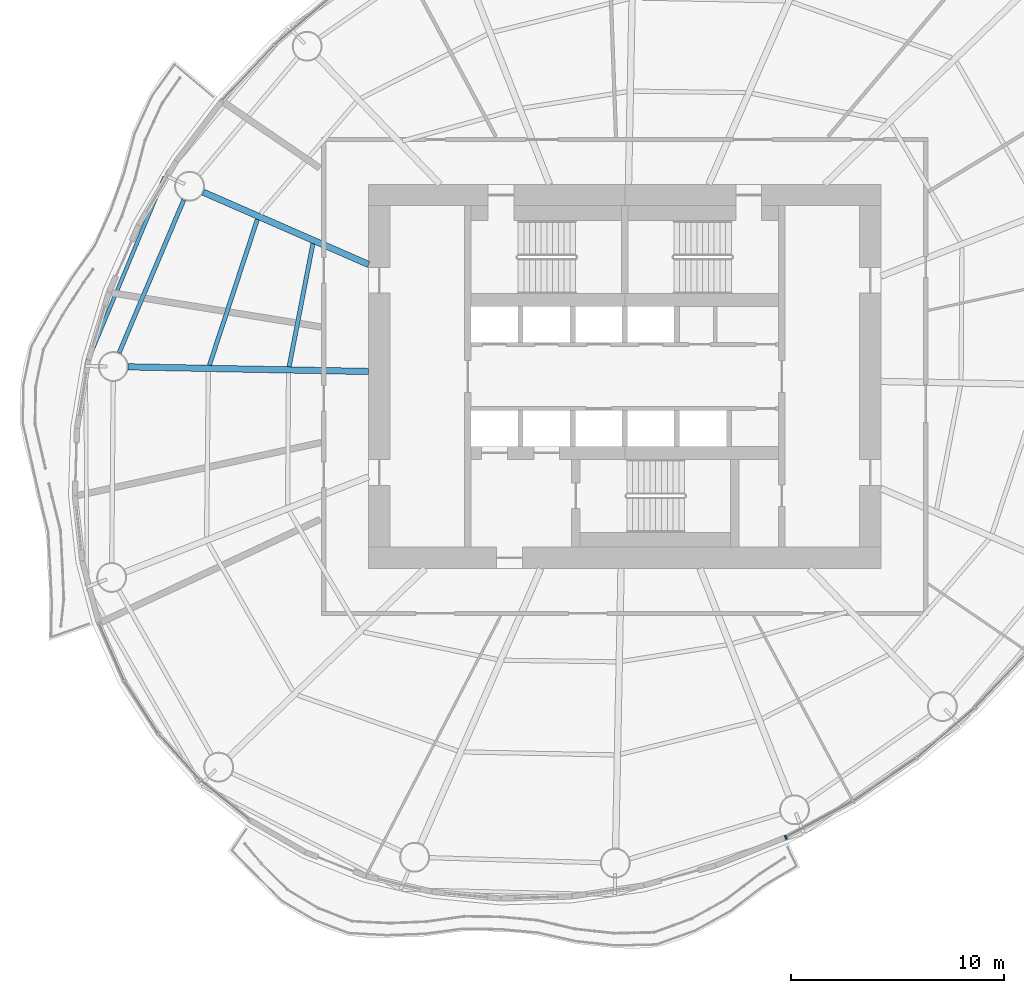
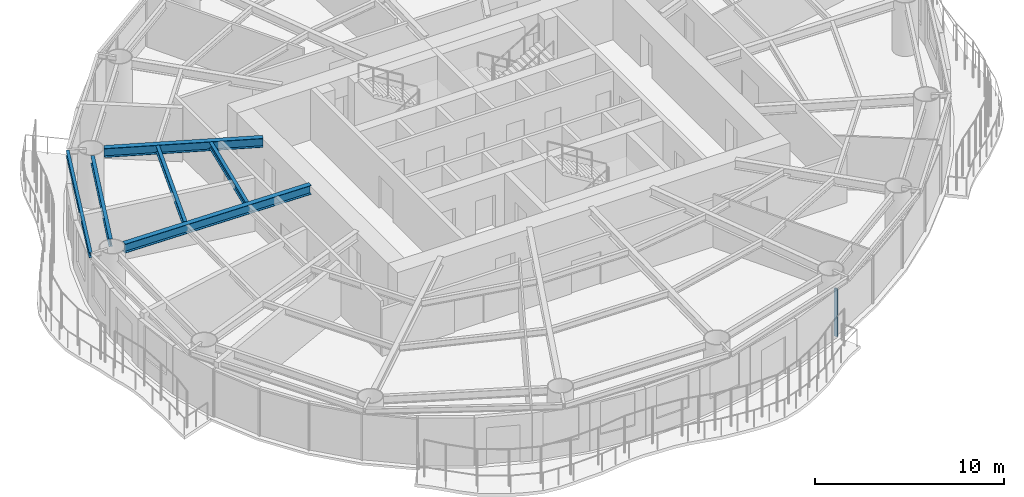
# One storey, part 3 of 15: 6 beams, 1 member, 1 element without a shape of its own.
"""IFC4 building model written with IfcOpenShell, lengths in metres."""

import ifcopenshell
import ifcopenshell.guid

model = None  # the IFC model being written
_history = None  # IfcOwnerHistory: only IFC2X3 demands one
_inside = {}  # id of a spatial element -> (the spatial element, [elements in it])
_under = {}  # id of a project, library or spatial element -> (it, [spatial elements below it])
_declared = {}  # id of a project -> (the project, [libraries it declares])
_typed = {}  # id of a type object -> (the type object, [elements of that type])
_made_of = {}  # id of a material, layer set ... -> (it, [elements and type objects made of it])


def new_model(schema):
    """Start an empty IFC model of exactly this schema.

    Asked for "IFC4X3", IfcOpenShell would pick the latest addendum, in which some entities
    have other attributes; the version numbers below select the first issue.
    IFC2X3 requires an IfcOwnerHistory on every rooted entity: one is made here for all.
    """
    global model, _history
    if schema == "IFC4X3":
        model = ifcopenshell.file(schema_version=(4, 3, 0, 0))
    else:
        model = ifcopenshell.file(schema=schema)
    _inside.clear()
    _under.clear()
    _declared.clear()
    _typed.clear()
    _made_of.clear()
    _history = None
    if model.schema == "IFC2X3":
        org = make("IfcOrganization", Name="unknown")
        user = make(
            "IfcPersonAndOrganization",
            ThePerson=make("IfcPerson", FamilyName="unknown"),
            TheOrganization=org,
        )
        app = make(
            "IfcApplication",
            ApplicationDeveloper=org,
            Version="unknown",
            ApplicationFullName="unknown",
            ApplicationIdentifier="unknown",
        )
        _history = make(
            "IfcOwnerHistory",
            OwningUser=user,
            OwningApplication=app,
            ChangeAction="ADDED",
            CreationDate=0,
        )
    return model


def make(cls, **values):
    """One entity of the class cls with the attributes given. An attribute that is None is left unset."""
    return model.create_entity(
        cls, **{name: value for name, value in values.items() if value is not None}
    )


def rooted(cls, **values):
    """An entity with a GlobalId (a new one), such as an element, a storey or a relation."""
    return make(cls, GlobalId=ifcopenshell.guid.new(), OwnerHistory=_history, **values)


def si_unit(unit_type, name, prefix=None):
    """IfcSIUnit, for example si_unit("LENGTHUNIT", "METRE", prefix="MILLI")."""
    return make("IfcSIUnit", UnitType=unit_type, Prefix=prefix, Name=name)


def assignment(units):
    """IfcUnitAssignment: the units of a project."""
    return None if units is None else make("IfcUnitAssignment", Units=units)


def point(xyz):
    """IfcCartesianPoint."""
    return None if xyz is None else make("IfcCartesianPoint", Coordinates=xyz)


def direction(xyz):
    """IfcDirection."""
    return None if xyz is None else make("IfcDirection", DirectionRatios=xyz)


def frame(location, z_axis=None, x_axis=None):
    """IfcAxis2Placement3D, a coordinate frame: its origin and axes. An axis left out is left unset."""
    return make(
        "IfcAxis2Placement3D",
        Location=point(location),
        Axis=direction(z_axis),
        RefDirection=direction(x_axis),
    )


def frame_2d(location, x_axis=None):
    """IfcAxis2Placement2D, a coordinate frame in the plane: its origin and x axis."""
    return make(
        "IfcAxis2Placement2D", Location=point(location), RefDirection=direction(x_axis)
    )


def origin():
    """The frame at (0, 0, 0) with its axes left unset."""
    return frame((0.0, 0.0, 0.0))


def origin_2d():
    """The frame at (0, 0) in the plane with its x axis left unset."""
    return frame_2d((0.0, 0.0))


def place(relative_to, where):
    """IfcLocalPlacement: puts the frame where relative to a parent placement (None: the world)."""
    return make(
        "IfcLocalPlacement", PlacementRelTo=relative_to, RelativePlacement=where
    )


def context(
    kind, dimensions, precision=None, world=None, true_north=None, identifier=None
):
    """IfcGeometricRepresentationContext, for example the 3D "Model" context."""
    return make(
        "IfcGeometricRepresentationContext",
        ContextIdentifier=identifier,
        ContextType=kind,
        CoordinateSpaceDimension=dimensions,
        Precision=precision,
        WorldCoordinateSystem=world,
        TrueNorth=true_north,
    )


def subcontext(parent, identifier, kind, view, scale=None):
    """IfcGeometricRepresentationSubContext, for example "Body" below "Model"."""
    return make(
        "IfcGeometricRepresentationSubContext",
        ContextIdentifier=identifier,
        ContextType=kind,
        ParentContext=parent,
        TargetScale=scale,
        TargetView=view,
    )


def project(units=None, contexts=None):
    """IfcProject with its units and contexts."""
    return rooted(
        "IfcProject",
        Name="project",
        RepresentationContexts=contexts,
        UnitsInContext=assignment(units),
    )


def spatial(cls, under=None, at=None, **own):
    """A site, building, storey or space (cls), placed at a placement, below another one or the project."""
    s = rooted(cls, ObjectPlacement=at, **own)
    if under is not None:
        _under.setdefault(under.id(), (under, []))[1].append(s)
    return s


def profile(cls, at=None, kind="AREA", **sizes):
    """A parametric profile (cls). Its sizes go by their IFC names, for example OverallWidth=200.0."""
    return make(cls, ProfileType=kind, Position=at, **sizes)


def rectangle(**sizes):
    """IfcRectangleProfileDef."""
    return profile("IfcRectangleProfileDef", **sizes)


def i_section(**sizes):
    """IfcIShapeProfileDef."""
    return profile("IfcIShapeProfileDef", **sizes)


def extrude(swept, where, along, depth):
    """IfcExtrudedAreaSolid: the profile swept, set in the frame where, extruded along a direction by depth."""
    return make(
        "IfcExtrudedAreaSolid",
        SweptArea=swept,
        Position=where,
        ExtrudedDirection=direction(along),
        Depth=depth,
    )


def shape(context_of_items, identifier, shape_type, items):
    """IfcShapeRepresentation: the items that make up one representation, for example the "Body"."""
    return make(
        "IfcShapeRepresentation",
        ContextOfItems=context_of_items,
        RepresentationIdentifier=identifier,
        RepresentationType=shape_type,
        Items=items,
    )


def material(Name=None, Category=None):
    """IfcMaterial."""
    return make("IfcMaterial", Name=Name, Category=Category)


def material_profile(
    of_material, cross_section, Name=None, Category=None, Priority=None
):
    """IfcMaterialProfile: a cross section and its material."""
    return make(
        "IfcMaterialProfile",
        Name=Name,
        Material=of_material,
        Profile=cross_section,
        Priority=Priority,
        Category=Category,
    )


def profile_set(profiles, Name=None, composite=None):
    """IfcMaterialProfileSet."""
    return make(
        "IfcMaterialProfileSet",
        Name=Name,
        MaterialProfiles=profiles,
        CompositeProfile=composite,
    )


def made_of(thing, what):
    """Note that an element or type object is made of a material, layer set ...; save() writes the relation."""
    if what is not None:
        _made_of.setdefault(what.id(), (what, []))[1].append(thing)
    return thing


def type_object(cls, material=None, **own):
    """A type object (cls), such as IfcWallType, which elements share."""
    return made_of(rooted(cls, **own), material)


def element(
    cls,
    number,
    at=None,
    inside=None,
    cuts=None,
    type_object=None,
    material=None,
    context=None,
    identifier="Body",
    shape_type=None,
    held_by="IfcProductDefinitionShape",
    body=None,
    shapes=None,
    **own,
):
    """One element of the class cls, such as IfcWall. Its Tag is "e" and its number.

    at: its placement. inside: the storey or other place that contains it. cuts: it is an
    opening in that element (IfcRelVoidsElement). A single representation is given by context,
    identifier, shape_type and body (its items); several are given by shapes. held_by: the class
    of the entity that holds the representations. save() writes the other relations.
    """
    e = rooted(cls, Tag="e%d" % number, ObjectPlacement=at, **own)
    if body is not None:
        shapes = [shape(context, identifier, shape_type, body)]
    if shapes is not None:
        e.Representation = make(held_by, Representations=shapes)
    if inside is not None:
        _inside.setdefault(inside.id(), (inside, []))[1].append(e)
    if cuts is not None:
        rooted(
            "IfcRelVoidsElement", RelatingBuildingElement=cuts, RelatedOpeningElement=e
        )
    if type_object is not None:
        _typed.setdefault(type_object.id(), (type_object, []))[1].append(e)
    return made_of(e, material)


def aggregate(whole, parts):
    """IfcRelAggregates: a whole, such as a stair, and the parts it consists of."""
    return rooted("IfcRelAggregates", RelatingObject=whole, RelatedObjects=parts)


def save(model, path):
    """Write the relations noted so far, then the file.

    IfcRelAggregates (storeys below a building ...), IfcRelContainedInSpatialStructure (elements
    in a storey), IfcRelDefinesByType, IfcRelAssociatesMaterial and IfcRelDeclares: one each for
    every whole, place, type object, material and project.
    """
    for whole, parts in _under.values():
        aggregate(whole, parts)
    for where, things in _inside.values():
        rooted(
            "IfcRelContainedInSpatialStructure",
            RelatedElements=things,
            RelatingStructure=where,
        )
    for kind, things in _typed.values():
        rooted("IfcRelDefinesByType", RelatedObjects=things, RelatingType=kind)
    for what, things in _made_of.values():
        rooted("IfcRelAssociatesMaterial", RelatedObjects=things, RelatingMaterial=what)
    for by, libraries in _declared.values():
        rooted("IfcRelDeclares", RelatingContext=by, RelatedDefinitions=libraries)
    model.write(path)


model = new_model("IFC4")

# Units and contexts
model_context = context("Model", 3, precision=1e-05, world=origin(), true_north=direction((0.0, 1.0)))
body_context = subcontext(model_context, "Body", "Model", "MODEL_VIEW")
ifc_project = project(units=[si_unit("LENGTHUNIT", "METRE"), si_unit("AREAUNIT", "SQUARE_METRE"), si_unit("VOLUMEUNIT", "CUBIC_METRE"), si_unit("PLANEANGLEUNIT", "RADIAN"), si_unit("MASSUNIT", "GRAM", prefix="KILO")], contexts=[model_context])

# Site, building, storey
site_placement = place(None, origin())
site = spatial("IfcSite", under=ifc_project, at=site_placement, CompositionType="ELEMENT")
building_placement = place(site_placement, origin())
building = spatial("IfcBuilding", under=site, at=building_placement, Name="Vermilion Reach Broadcast Tower", CompositionType="ELEMENT")
storey_placement = place(building_placement, frame((0.0, 0.0, 183.0)))
storey = spatial("IfcBuildingStorey", under=building, at=storey_placement, Name="L44", CompositionType="ELEMENT", Elevation=183.0)

# Beams
ifc_material_1 = material(Name="Steel S355J2", Category="steel")
ifc_material_profile_1 = material_profile(ifc_material_1, i_section(OverallWidth=0.175048828125, OverallDepth=0.35009765625, WebThickness=0.007080078125, FlangeThickness=0.010986328125, at=origin_2d()), Name="S355J2 HN 350x175x7x11")
ifc_profile_set_1 = profile_set([ifc_material_profile_1], Name="Steel S355J2")
beam_type_1 = type_object("IfcBeamType", Name="EB3 HN 350x175x7x11", PredefinedType="BEAM", material=ifc_profile_set_1)
beam_1_placement = place(storey_placement, frame((-27.561767578125, 9.3427734375, 3.27490234375), z_axis=(-0.385054534392, -0.922893821382, 0.0), x_axis=(0.922893821382, -0.385054534392, 0.0)))
element("IfcBeam", 1, at=beam_1_placement, inside=storey, type_object=beam_type_1, Name="Edge beam EB3-06", PredefinedType="BEAM", context=body_context, shape_type="SweptSolid", body=[
    extrude(i_section(OverallWidth=0.175048828125, OverallDepth=0.35009765625, WebThickness=0.007080078125, FlangeThickness=0.010986328125, at=origin_2d()), origin(), (0.0, 0.0, 1.0), 9.512451171875),
])
ifc_material_2 = material(Name="Steel S355J2", Category="steel")
ifc_material_profile_2 = material_profile(ifc_material_2, i_section(OverallWidth=0.300048828125, OverallDepth=0.587890625, WebThickness=0.011962890625, FlangeThickness=0.02001953125, at=origin_2d()), Name="S355J2 HM 588x300x12x20")
ifc_profile_set_2 = profile_set([ifc_material_profile_2], Name="Steel S355J2")
beam_type_2 = type_object("IfcBeamType", Name="G3 HM 588x300x12x20", PredefinedType="BEAM", material=ifc_profile_set_2)
beam_2_placement = place(storey_placement, frame((-18.0, 5.2451171875, 3.156005859375), z_axis=(-0.916287847036, 0.400520388213, 0.0), x_axis=(-0.400520388213, -0.916287847036, 0.0)))
element("IfcBeam", 2, at=beam_2_placement, inside=storey, type_object=beam_type_2, Name="Girder G3-06", PredefinedType="BEAM", context=body_context, shape_type="SweptSolid", body=[
    extrude(i_section(OverallWidth=0.300048828125, OverallDepth=0.587890625, WebThickness=0.011962890625, FlangeThickness=0.02001953125, at=origin_2d()), origin(), (0.0, 0.0, 1.0), 8.45458984375),
])
beam_3_placement = place(storey_placement, frame((-18.0, 0.232421875, 3.156005859375), z_axis=(-0.999812170888, 0.019380994401, 0.0), x_axis=(-0.019380994401, -0.999812170888, 0.0)))
element("IfcBeam", 3, at=beam_3_placement, inside=storey, type_object=beam_type_2, Name="Girder G3-07", PredefinedType="BEAM", context=body_context, shape_type="SweptSolid", body=[
    extrude(i_section(OverallWidth=0.300048828125, OverallDepth=0.587890625, WebThickness=0.011962890625, FlangeThickness=0.02001953125, at=origin_2d()), origin(), (0.0, 0.0, 1.0), 11.26171875),
])
ifc_material_3 = material(Name="Steel S355J2", Category="steel")
ifc_material_profile_3 = material_profile(ifc_material_3, i_section(OverallWidth=0.199951171875, OverallDepth=0.5, WebThickness=0.010009765625, FlangeThickness=0.01611328125, at=origin_2d()), Name="S355J2 HN 500x200x10x16")
ifc_profile_set_3 = profile_set([ifc_material_profile_3], Name="Steel S355J2")
beam_type_3 = type_object("IfcBeamType", Name="RB3 HN 500x200x10x16", PredefinedType="BEAM", material=ifc_profile_set_3)
beam_4_placement = place(storey_placement, frame((-26.660888671875, 8.266845703125, 3.199951171875), z_axis=(-0.389368386196, -0.921082113512, 0.0), x_axis=(0.921082113512, -0.389368386196, 0.0)))
element("IfcBeam", 4, at=beam_4_placement, inside=storey, type_object=beam_type_3, Name="Ring beam RB3-06", PredefinedType="BEAM", context=body_context, shape_type="SweptSolid", body=[
    extrude(i_section(OverallWidth=0.199951171875, OverallDepth=0.5, WebThickness=0.010009765625, FlangeThickness=0.01611328125, at=origin_2d()), origin(), (0.0, 0.0, 1.0), 7.771240234375),
])
ifc_material_4 = material(Name="Steel S355J2", Category="steel")
ifc_material_profile_4 = material_profile(ifc_material_4, i_section(OverallWidth=0.199951171875, OverallDepth=0.39990234375, WebThickness=0.008056640625, FlangeThickness=0.012939453125, at=origin_2d()), Name="S355J2 HN 400x200x8x13")
ifc_profile_set_4 = profile_set([ifc_material_profile_4], Name="Steel S355J2")
beam_type_4 = type_object("IfcBeamType", Name="SB3 HN 400x200x8x13", PredefinedType="BEAM", material=ifc_profile_set_4)
beam_5_placement = place(storey_placement, frame((-20.611328125, 6.222900390625, 3.25), z_axis=(-0.189462365782, -0.981887983404, 0.0), x_axis=(0.981887983404, -0.189462365782, 0.0)))
element("IfcBeam", 5, at=beam_5_placement, inside=storey, type_object=beam_type_4, Name="Secondary beam SB3-06-1", PredefinedType="BEAM", context=body_context, shape_type="SweptSolid", body=[
    extrude(i_section(OverallWidth=0.199951171875, OverallDepth=0.39990234375, WebThickness=0.008056640625, FlangeThickness=0.012939453125, at=origin_2d()), origin(), (0.0, 0.0, 1.0), 5.874755859375),
])
beam_6_placement = place(storey_placement, frame((-23.211669921875, 7.359375, 3.25), z_axis=(-0.312243016281, -0.950002262515, 0.0), x_axis=(0.950002262515, -0.312243016281, 0.0)))
element("IfcBeam", 6, at=beam_6_placement, inside=storey, type_object=beam_type_4, Name="Secondary beam SB3-06-2", PredefinedType="BEAM", context=body_context, shape_type="SweptSolid", body=[
    extrude(i_section(OverallWidth=0.199951171875, OverallDepth=0.39990234375, WebThickness=0.008056640625, FlangeThickness=0.012939453125, at=origin_2d()), origin(), (0.0, 0.0, 1.0), 7.19189453125),
])

# Curtain wall, member
ifc_material_5 = material(Name="Low-e laminated clear glass in aluminium frame", Category="aluminium")
curtain_wall_type = type_object("IfcCurtainWallType", Name="Slot curtain wall", PredefinedType="NOTDEFINED", material=ifc_material_5)
curtain_wall_placement = place(storey_placement, origin())
curtain_wall = element("IfcCurtainWall", 7, at=curtain_wall_placement, inside=storey, type_object=curtain_wall_type, Name="Slot curtain wall L44 34", PredefinedType="NOTDEFINED")
ifc_material_6 = material(Name="Anodised aluminium", Category="aluminium")
ifc_material_profile_5 = material_profile(ifc_material_6, rectangle(XDim=0.199951171875, YDim=0.080078125, at=origin_2d()), Name="Slot mullion 80 x 200")
ifc_profile_set_5 = profile_set([ifc_material_profile_5], Name="Anodised aluminium")
member_type = type_object("IfcMemberType", Name="Slot mullion 80 x 200", PredefinedType="MULLION", material=ifc_profile_set_5)
member_placement = place(storey_placement, frame((1.542724609375, -21.58935546875, 0.0), z_axis=(0.0, 0.0, 1.0), x_axis=(-0.423235079569, 0.90601990454, 0.0)))
member = element("IfcMember", 8, at=member_placement, type_object=member_type, Name="Slot mullion L44 34", PredefinedType="MULLION", context=body_context, shape_type="SweptSolid", body=[
    extrude(rectangle(XDim=0.199951171875, YDim=0.080078125, at=origin_2d()), origin(), (0.0, 0.0, 1.0), 3.10009765625),
])
aggregate(curtain_wall, [member])

save(model, "model.ifc")
